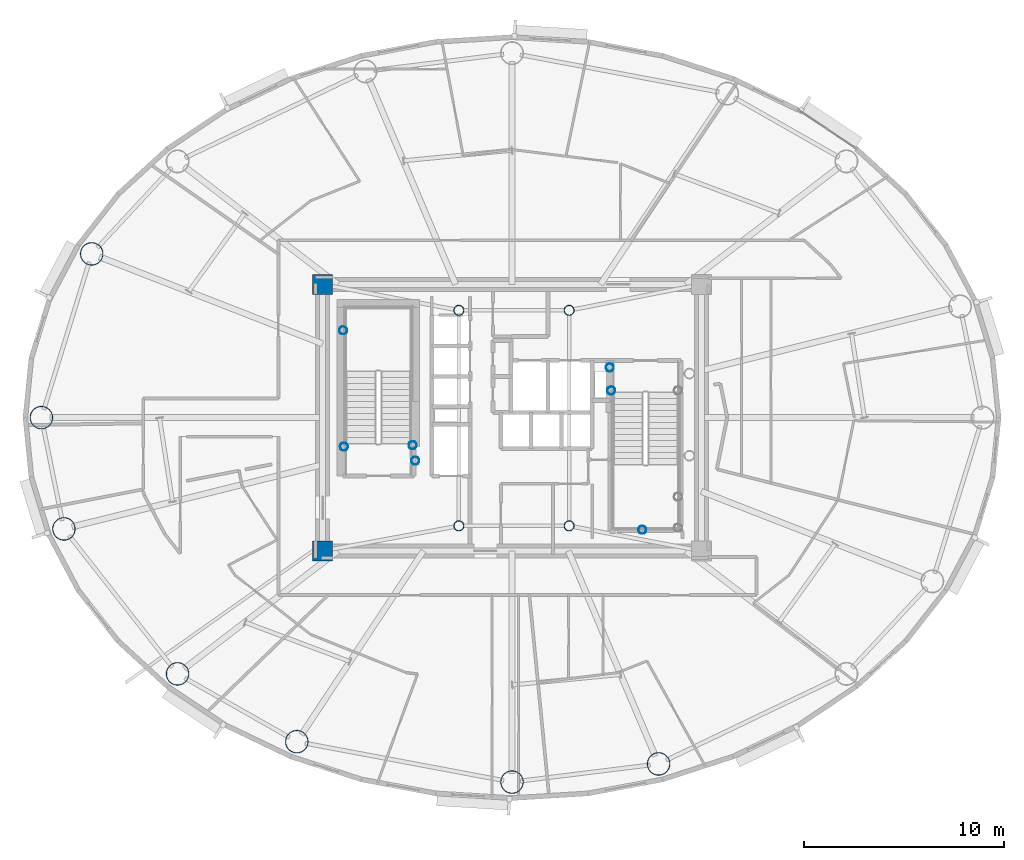
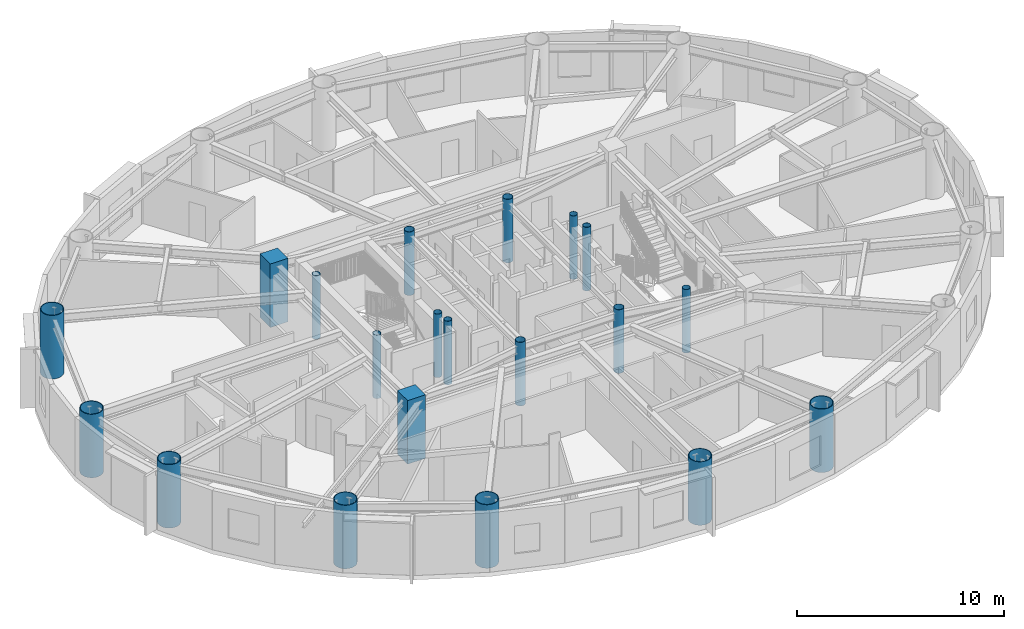
# One storey, part 1 of 21: 20 columns.
"""IFC4 building model written with IfcOpenShell, lengths in metres."""

from ifc_helpers import new_model, si_unit, direction, frame, origin, origin_2d, place, context, subcontext, project, spatial, rectangle, hollow_circle, extrude, material, material_profile, profile_set, type_object, element, save


model = new_model("IFC4")

# Units and contexts
model_context = context("Model", 3, precision=1e-05, world=origin(), true_north=direction((0.0, 1.0)))
body_context = subcontext(model_context, "Body", "Model", "MODEL_VIEW")
ifc_project = project(units=[si_unit("LENGTHUNIT", "METRE"), si_unit("AREAUNIT", "SQUARE_METRE"), si_unit("VOLUMEUNIT", "CUBIC_METRE"), si_unit("PLANEANGLEUNIT", "RADIAN"), si_unit("MASSUNIT", "GRAM", prefix="KILO")], contexts=[model_context])

# Site, building, storey
site_placement = place(None, origin())
site = spatial("IfcSite", under=ifc_project, at=site_placement, CompositionType="ELEMENT")
building_placement = place(site_placement, origin())
building = spatial("IfcBuilding", under=site, at=building_placement, Name="Linh Dai School and Residence Tower", CompositionType="ELEMENT")
storey_placement = place(building_placement, frame((0.0, 0.0, 251.550048828125)))
storey = spatial("IfcBuildingStorey", under=building, at=storey_placement, Name="L62", CompositionType="ELEMENT", Elevation=251.550048828125)

# Columns
ifc_material_1 = material(Name="Concrete B45 (C35/45)", Category="concrete")
ifc_material_profile_1 = material_profile(ifc_material_1, rectangle(XDim=1.0, YDim=1.0, at=origin_2d()), Name="RC 1000x1000")
ifc_profile_set_1 = profile_set([ifc_material_profile_1], Name="Concrete B45 (C35/45)")
column_type_1 = type_object("IfcColumnType", Name="COL-CC3", PredefinedType="COLUMN", material=ifc_profile_set_1)
for number, where, z_axis, x_axis, name in (
    (1, (26.550048828125, 20.35009765625, 0.0), (0.0, 0.0, 1.0), (1.0, 0.0, 0.0), "L62 Core Corner Pier CC1"),
    (2, (26.550048828125, 33.64990234375, 0.0), (0.0, 0.0, 1.0), (1.0, 0.0, 0.0), "L62 Core Corner Pier CC4"),
):
    element("IfcColumn", number, at=place(storey_placement, frame(where, z_axis=z_axis, x_axis=x_axis)), inside=storey, type_object=column_type_1, Name=name, PredefinedType="COLUMN", context=body_context, shape_type="SweptSolid", body=[
        extrude(rectangle(XDim=1.0, YDim=1.0, at=origin_2d()), origin(), (0.0, 0.0, 1.0), 3.75),
    ])
ifc_material_2 = material(Name="Structural Steel S355JR", Category="steel")
ifc_material_profile_2 = material_profile(ifc_material_2, hollow_circle(Radius=0.203125, WallThickness=0.01611328125, at=origin_2d()), Name="CHS 406.4x16")
ifc_profile_set_2 = profile_set([ifc_material_profile_2], Name="Structural Steel S355JR")
column_type_2 = type_object("IfcColumnType", Name="COL-EC", PredefinedType="COLUMN", material=ifc_profile_set_2)
for number, where, z_axis, x_axis, name in (
    (3, (27.580078125, 31.35009765625, 0.0), (0.0, 0.0, 1.0), (1.0, 0.0, 0.0), "L62 Stair Shaft Landing Support Pier ST1NW"),
    (4, (31.050048828125, 25.6201171875, 0.0), (0.0, 0.0, 1.0), (1.0, 0.0, 0.0), "L62 Stair Shaft Landing Support Pier ST1SE"),
    (5, (31.179931640625, 24.85009765625, 0.0), (0.0, 0.0, 1.0), (1.0, 0.0, 0.0), "L62 Stair Shaft Landing Support Pier ST1SM"),
    (6, (27.6201171875, 25.550048828125, 0.0), (0.0, 0.0, 1.0), (1.0, 0.0, 0.0), "L62 Stair Shaft Landing Support Pier ST1SW"),
    (7, (42.5, 21.39990234375, 0.0), (0.0, 0.0, 1.0), (1.0, 0.0, 0.0), "L62 Stair Shaft Landing Support Pier ST2MS"),
    (8, (40.949951171875, 28.35009765625, 0.0), (0.0, 0.0, 1.0), (1.0, 0.0, 0.0), "L62 Stair Shaft Landing Support Pier ST2N1"),
    (9, (40.8798828125, 29.5, 0.0), (0.0, 0.0, 1.0), (1.0, 0.0, 0.0), "L62 Stair Shaft Landing Support Pier ST2N3"),
):
    element("IfcColumn", number, at=place(storey_placement, frame(where, z_axis=z_axis, x_axis=x_axis)), inside=storey, type_object=column_type_2, Name=name, PredefinedType="COLUMN", context=body_context, shape_type="SweptSolid", body=[
        extrude(hollow_circle(Radius=0.203125, WallThickness=0.01611328125, at=origin_2d()), origin(), (0.0, 0.0, 1.0), 3.75),
    ])
ifc_material_profile_3 = material_profile(ifc_material_2, hollow_circle(Radius=0.574951171875, WallThickness=0.035888671875, at=origin_2d()), Name="CHS 1150x36")
ifc_profile_set_3 = profile_set([ifc_material_profile_3], Name="Structural Steel S355JR")
column_type_3 = type_object("IfcColumnType", Name="COL-MC5", PredefinedType="COLUMN", material=ifc_profile_set_3)
for number, where, z_axis, x_axis, name in (
    (10, (15.03466796875, 35.1689453125, 0.0), (0.0, 0.0, 1.0), (1.0, 0.0, 0.0), "L62 Perimeter CFT Mega-Column MC08"),
    (11, (12.52490234375, 27.0, 0.0), (0.0, 0.0, 1.0), (1.0, 0.0, 0.0), "L62 Perimeter CFT Mega-Column MC09"),
    (12, (13.648681640625, 21.45068359375, 0.0), (0.0, 0.0, 1.0), (1.0, 0.0, 0.0), "L62 Perimeter CFT Mega-Column MC10"),
    (13, (19.31689453125, 14.218994140625, 0.0), (0.0, 0.0, 1.0), (1.0, 0.0, 0.0), "L62 Perimeter CFT Mega-Column MC11"),
    (14, (25.265380859375, 10.83642578125, 0.0), (0.0, 0.0, 1.0), (1.0, 0.0, 0.0), "L62 Perimeter CFT Mega-Column MC12"),
    (15, (36.0, 8.820068359375, 0.0), (0.0, 0.0, 1.0), (1.0, 0.0, 0.0), "L62 Perimeter CFT Mega-Column MC13"),
    (16, (43.31201171875, 9.7265625, 0.0), (0.0, 0.0, 1.0), (1.0, 0.0, 0.0), "L62 Perimeter CFT Mega-Column MC14"),
):
    element("IfcColumn", number, at=place(storey_placement, frame(where, z_axis=z_axis, x_axis=x_axis)), inside=storey, type_object=column_type_3, Name=name, PredefinedType="COLUMN", context=body_context, shape_type="SweptSolid", body=[
        extrude(hollow_circle(Radius=0.574951171875, WallThickness=0.035888671875, at=origin_2d()), origin(), (0.0, 0.0, 1.0), 3.75),
    ])
ifc_material_profile_4 = material_profile(ifc_material_2, hollow_circle(Radius=0.25390625, WallThickness=0.02001953125, at=origin_2d()), Name="CHS 508x20")
ifc_profile_set_4 = profile_set([ifc_material_profile_4], Name="Structural Steel S355JR")
column_type_4 = type_object("IfcColumnType", Name="COL-MCP", PredefinedType="COLUMN", material=ifc_profile_set_4)
for number, where, z_axis, x_axis, name in (
    (17, (33.35009765625, 21.60009765625, 0.0), (0.0, 0.0, 1.0), (1.0, 0.0, 0.0), "L62 Core Mast Support Pier MCP1"),
    (18, (38.85009765625, 21.60009765625, 0.0), (0.0, 0.0, 1.0), (1.0, 0.0, 0.0), "L62 Core Mast Support Pier MCP2"),
    (19, (38.85009765625, 32.35009765625, 0.0), (0.0, 0.0, 1.0), (1.0, 0.0, 0.0), "L62 Core Mast Support Pier MCP3"),
    (20, (33.35009765625, 32.35009765625, 0.0), (0.0, 0.0, 1.0), (1.0, 0.0, 0.0), "L62 Core Mast Support Pier MCP4"),
):
    element("IfcColumn", number, at=place(storey_placement, frame(where, z_axis=z_axis, x_axis=x_axis)), inside=storey, type_object=column_type_4, Name=name, PredefinedType="COLUMN", context=body_context, shape_type="SweptSolid", body=[
        extrude(hollow_circle(Radius=0.25390625, WallThickness=0.02001953125, at=origin_2d()), origin(), (0.0, 0.0, 1.0), 3.75),
    ])

save(model, "model.ifc")
